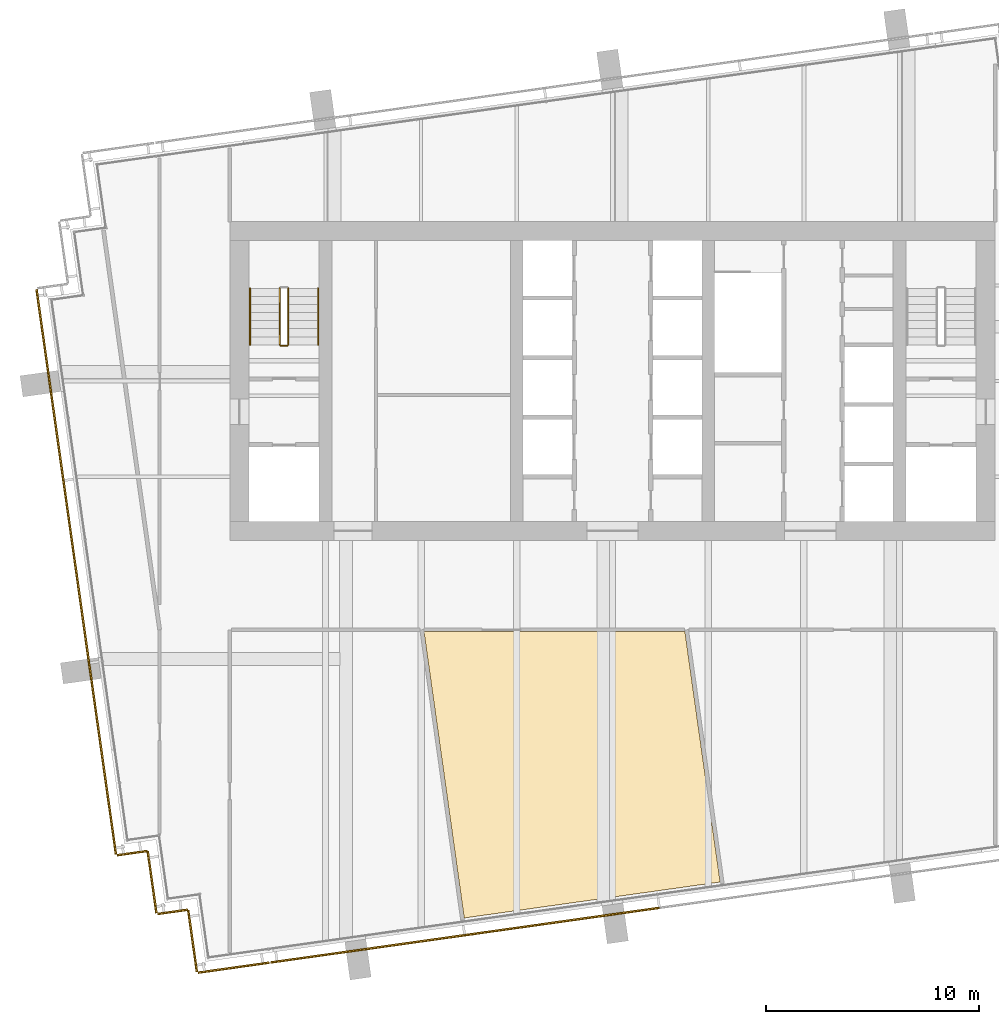
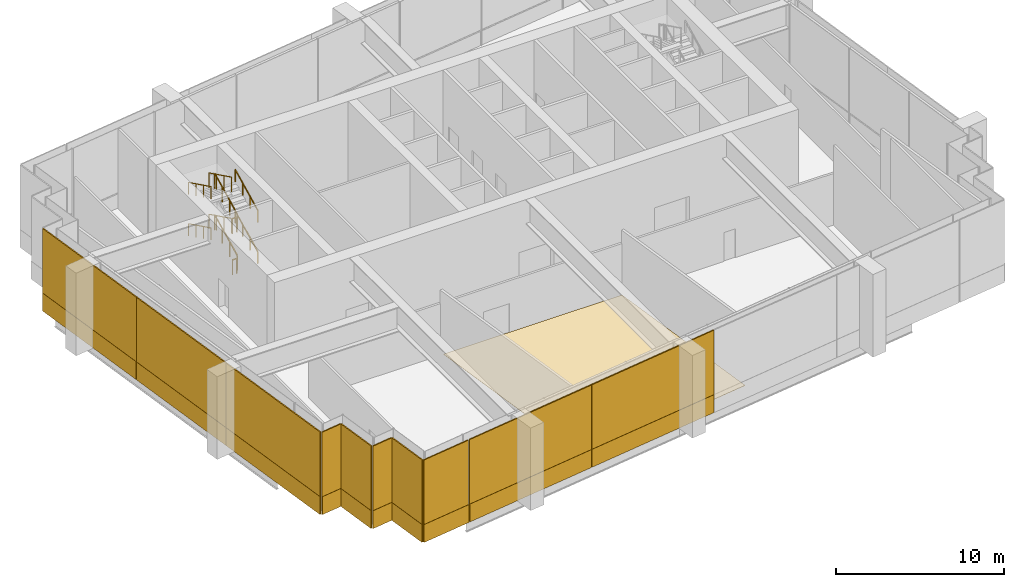
# One storey, part 22 of 25: 21 coverings, 10 railings.
"""IFC4 building model written with IfcOpenShell, lengths in metres."""

from ifc_helpers import new_model, si_unit, direction, frame, origin, origin_2d, place, context, subcontext, project, spatial, polyline, rectangle, outline, extrude, material, layer, layer_set, type_object, element, save


model = new_model("IFC4")

# Units and contexts
model_context = context("Model", 3, precision=1e-05, world=origin(), true_north=direction((0.0, 1.0)))
body_context = subcontext(model_context, "Body", "Model", "MODEL_VIEW")
ifc_project = project(units=[si_unit("LENGTHUNIT", "METRE"), si_unit("AREAUNIT", "SQUARE_METRE"), si_unit("VOLUMEUNIT", "CUBIC_METRE"), si_unit("PLANEANGLEUNIT", "RADIAN"), si_unit("MASSUNIT", "GRAM", prefix="KILO")], contexts=[model_context])

# Site, building, storey
site_placement = place(None, origin())
site = spatial("IfcSite", under=ifc_project, at=site_placement, CompositionType="ELEMENT")
building_placement = place(site_placement, origin())
building = spatial("IfcBuilding", under=site, at=building_placement, Name="Rattan Terrace Tower", CompositionType="ELEMENT")
storey_placement = place(building_placement, frame((0.0, 0.0, 286.300048828125)))
storey = spatial("IfcBuildingStorey", under=building, at=storey_placement, Name="L66", CompositionType="ELEMENT", Elevation=286.300048828125)

# Railings
ifc_material_1 = material(Name="Powder-coated steel guard", Category="steel")
railing_type_1 = type_object("IfcRailingType", Name="Core stair guard", PredefinedType="GUARDRAIL", material=ifc_material_1)
railing_1_placement = place(storey_placement, frame((-15.25, 1.699951171875, 0.1875)))
element("IfcRailing", 1, at=railing_1_placement, inside=storey, type_object=railing_type_1, Name="L66 S1 stair guard 1", PredefinedType="GUARDRAIL", context=body_context, shape_type="SweptSolid", body=[
    extrude(rectangle(XDim=0.048095703125, YDim=0.048095703125, at=origin_2d()), frame((0.0, 0.0, 1.076171875), z_axis=(0.0, 0.896784984146, 0.442466600107), x_axis=(-1.0, 0.0, 0.0)), (0.0, 0.0, 1.0), 2.96630859375),
    extrude(rectangle(XDim=0.0419921875, YDim=0.0419921875, at=origin_2d()), origin(), (0.0, 0.0, 1.0), 1.052001953125),
    extrude(rectangle(XDim=0.0419921875, YDim=0.0419921875, at=origin_2d()), frame((0.0, 0.88671875, 0.4375)), (0.0, 0.0, 1.0), 1.052001953125),
    extrude(rectangle(XDim=0.0419921875, YDim=0.0419921875, at=origin_2d()), frame((0.0, 1.7734375, 0.875)), (0.0, 0.0, 1.0), 1.052001953125),
    extrude(rectangle(XDim=0.0419921875, YDim=0.0419921875, at=origin_2d()), frame((0.0, 2.66015625, 1.3125)), (0.0, 0.0, 1.0), 1.052001953125),
])
railing_2_placement = place(storey_placement, frame((-15.64990234375, 4.360107421875, 1.6875)))
element("IfcRailing", 2, at=railing_2_placement, inside=storey, type_object=railing_type_1, Name="L66 S1 stair guard 3", PredefinedType="GUARDRAIL", context=body_context, shape_type="SweptSolid", body=[
    extrude(rectangle(XDim=0.048095703125, YDim=0.048095703125, at=origin_2d()), frame((0.0, 0.0, 1.076171875), z_axis=(0.0, -0.896784984146, 0.442466600107), x_axis=(1.0, 0.0, 0.0)), (0.0, 0.0, 1.0), 2.96630859375),
    extrude(rectangle(XDim=0.0419921875, YDim=0.0419921875, at=origin_2d()), origin(), (0.0, 0.0, 1.0), 1.052001953125),
    extrude(rectangle(XDim=0.0419921875, YDim=0.0419921875, at=origin_2d()), frame((0.0, -0.88671875, 0.4375)), (0.0, 0.0, 1.0), 1.052001953125),
    extrude(rectangle(XDim=0.0419921875, YDim=0.0419921875, at=origin_2d()), frame((0.0, -1.7734375, 0.875)), (0.0, 0.0, 1.0), 1.052001953125),
    extrude(rectangle(XDim=0.0419921875, YDim=0.0419921875, at=origin_2d()), frame((0.0, -2.66015625, 1.3125)), (0.0, 0.0, 1.0), 1.052001953125),
])
railing_3_placement = place(storey_placement, frame((-15.300048828125, 1.64990234375, 3.0)))
element("IfcRailing", 3, at=railing_3_placement, inside=storey, type_object=railing_type_1, Name="L66 S1 stair guard 4", PredefinedType="GUARDRAIL", context=body_context, shape_type="SweptSolid", body=[
    extrude(rectangle(XDim=0.048095703125, YDim=0.048095703125, at=origin_2d()), frame((0.0, 0.0, 1.076171875), z_axis=(-1.0, 0.0, 0.0), x_axis=(0.0, -1.0, 0.0)), (0.0, 0.0, 1.0), 0.300048828125),
    extrude(rectangle(XDim=0.0419921875, YDim=0.0419921875, at=origin_2d()), origin(), (0.0, 0.0, 1.0), 1.052001953125),
    extrude(rectangle(XDim=0.0419921875, YDim=0.0419921875, at=origin_2d()), frame((-0.300048828125, 0.0, 0.0)), (0.0, 0.0, 1.0), 1.052001953125),
])
railing_4_placement = place(storey_placement, frame((-15.25, 1.699951171875, 3.1875)))
element("IfcRailing", 4, at=railing_4_placement, inside=storey, type_object=railing_type_1, Name="L66 S1 stair guard 5", PredefinedType="GUARDRAIL", context=body_context, shape_type="SweptSolid", body=[
    extrude(rectangle(XDim=0.048095703125, YDim=0.048095703125, at=origin_2d()), frame((0.0, 0.0, 1.076171875), z_axis=(0.0, 0.896784984146, 0.442466600107), x_axis=(-1.0, 0.0, 0.0)), (0.0, 0.0, 1.0), 2.96630859375),
    extrude(rectangle(XDim=0.0419921875, YDim=0.0419921875, at=origin_2d()), origin(), (0.0, 0.0, 1.0), 1.052001953125),
    extrude(rectangle(XDim=0.0419921875, YDim=0.0419921875, at=origin_2d()), frame((0.0, 0.88671875, 0.4375)), (0.0, 0.0, 1.0), 1.052001953125),
    extrude(rectangle(XDim=0.0419921875, YDim=0.0419921875, at=origin_2d()), frame((0.0, 1.7734375, 0.875)), (0.0, 0.0, 1.0), 1.052001953125),
    extrude(rectangle(XDim=0.0419921875, YDim=0.0419921875, at=origin_2d()), frame((0.0, 2.66015625, 1.3125)), (0.0, 0.0, 1.0), 1.052001953125),
])
railing_5_placement = place(storey_placement, frame((-15.64990234375, 4.360107421875, 4.6875)))
element("IfcRailing", 5, at=railing_5_placement, inside=storey, type_object=railing_type_1, Name="L66 S1 stair guard 7", PredefinedType="GUARDRAIL", context=body_context, shape_type="SweptSolid", body=[
    extrude(rectangle(XDim=0.048095703125, YDim=0.048095703125, at=origin_2d()), frame((0.0, 0.0, 1.076171875), z_axis=(0.0, -0.896784984146, 0.442466600107), x_axis=(1.0, 0.0, 0.0)), (0.0, 0.0, 1.0), 2.96630859375),
    extrude(rectangle(XDim=0.0419921875, YDim=0.0419921875, at=origin_2d()), origin(), (0.0, 0.0, 1.0), 1.052001953125),
    extrude(rectangle(XDim=0.0419921875, YDim=0.0419921875, at=origin_2d()), frame((0.0, -0.88671875, 0.4375)), (0.0, 0.0, 1.0), 1.052001953125),
    extrude(rectangle(XDim=0.0419921875, YDim=0.0419921875, at=origin_2d()), frame((0.0, -1.7734375, 0.875)), (0.0, 0.0, 1.0), 1.052001953125),
    extrude(rectangle(XDim=0.0419921875, YDim=0.0419921875, at=origin_2d()), frame((0.0, -2.66015625, 1.3125)), (0.0, 0.0, 1.0), 1.052001953125),
])
railing_6_placement = place(storey_placement, frame((-15.300048828125, 1.64990234375, 0.0)))
element("IfcRailing", 6, at=railing_6_placement, inside=storey, type_object=railing_type_1, Name="L66 S1 stair guard 8", PredefinedType="GUARDRAIL", context=body_context, shape_type="SweptSolid", body=[
    extrude(rectangle(XDim=0.048095703125, YDim=0.048095703125, at=origin_2d()), frame((0.0, 0.0, 1.076171875), z_axis=(-1.0, 0.0, 0.0), x_axis=(0.0, -1.0, 0.0)), (0.0, 0.0, 1.0), 0.300048828125),
    extrude(rectangle(XDim=0.0419921875, YDim=0.0419921875, at=origin_2d()), origin(), (0.0, 0.0, 1.0), 1.052001953125),
    extrude(rectangle(XDim=0.0419921875, YDim=0.0419921875, at=origin_2d()), frame((-0.300048828125, 0.0, 0.0)), (0.0, 0.0, 1.0), 1.052001953125),
])
ifc_material_2 = material(Name="Powder-coated steel handrail", Category="steel")
railing_type_2 = type_object("IfcRailingType", Name="Core stair handrail", PredefinedType="HANDRAIL", material=ifc_material_2)
railing_7_placement = place(storey_placement, frame((-13.85009765625, 1.699951171875, 0.1875)))
element("IfcRailing", 7, at=railing_7_placement, inside=storey, type_object=railing_type_2, Name="L66 S1 stair handrail 1", PredefinedType="HANDRAIL", context=body_context, shape_type="SweptSolid", body=[
    extrude(rectangle(XDim=0.048095703125, YDim=0.048095703125, at=origin_2d()), frame((0.0, 0.0, 0.8759765625), z_axis=(0.0, 0.896784984146, 0.442466600107), x_axis=(-1.0, 0.0, 0.0)), (0.0, 0.0, 1.0), 2.96630859375),
    extrude(rectangle(XDim=0.0419921875, YDim=0.0419921875, at=origin_2d()), origin(), (0.0, 0.0, 1.0), 0.851806640625),
    extrude(rectangle(XDim=0.0419921875, YDim=0.0419921875, at=origin_2d()), frame((0.0, 0.88671875, 0.4375)), (0.0, 0.0, 1.0), 0.851806640625),
    extrude(rectangle(XDim=0.0419921875, YDim=0.0419921875, at=origin_2d()), frame((0.0, 1.7734375, 0.875)), (0.0, 0.0, 1.0), 0.851806640625),
    extrude(rectangle(XDim=0.0419921875, YDim=0.0419921875, at=origin_2d()), frame((0.0, 2.66015625, 1.3125)), (0.0, 0.0, 1.0), 0.851806640625),
])
railing_8_placement = place(storey_placement, frame((-17.050048828125, 4.360107421875, 1.6875)))
element("IfcRailing", 8, at=railing_8_placement, inside=storey, type_object=railing_type_2, Name="L66 S1 stair handrail 2", PredefinedType="HANDRAIL", context=body_context, shape_type="SweptSolid", body=[
    extrude(rectangle(XDim=0.048095703125, YDim=0.048095703125, at=origin_2d()), frame((0.0, 0.0, 0.8759765625), z_axis=(0.0, -0.896784984146, 0.442466600107), x_axis=(1.0, 0.0, 0.0)), (0.0, 0.0, 1.0), 2.96630859375),
    extrude(rectangle(XDim=0.0419921875, YDim=0.0419921875, at=origin_2d()), origin(), (0.0, 0.0, 1.0), 0.851806640625),
    extrude(rectangle(XDim=0.0419921875, YDim=0.0419921875, at=origin_2d()), frame((0.0, -0.88671875, 0.4375)), (0.0, 0.0, 1.0), 0.851806640625),
    extrude(rectangle(XDim=0.0419921875, YDim=0.0419921875, at=origin_2d()), frame((0.0, -1.7734375, 0.875)), (0.0, 0.0, 1.0), 0.851806640625),
    extrude(rectangle(XDim=0.0419921875, YDim=0.0419921875, at=origin_2d()), frame((0.0, -2.66015625, 1.3125)), (0.0, 0.0, 1.0), 0.851806640625),
])
railing_9_placement = place(storey_placement, frame((-13.85009765625, 1.699951171875, 3.1875)))
element("IfcRailing", 9, at=railing_9_placement, inside=storey, type_object=railing_type_2, Name="L66 S1 stair handrail 3", PredefinedType="HANDRAIL", context=body_context, shape_type="SweptSolid", body=[
    extrude(rectangle(XDim=0.048095703125, YDim=0.048095703125, at=origin_2d()), frame((0.0, 0.0, 0.8759765625), z_axis=(0.0, 0.896784984146, 0.442466600107), x_axis=(-1.0, 0.0, 0.0)), (0.0, 0.0, 1.0), 2.96630859375),
    extrude(rectangle(XDim=0.0419921875, YDim=0.0419921875, at=origin_2d()), origin(), (0.0, 0.0, 1.0), 0.851806640625),
    extrude(rectangle(XDim=0.0419921875, YDim=0.0419921875, at=origin_2d()), frame((0.0, 0.88671875, 0.4375)), (0.0, 0.0, 1.0), 0.851806640625),
    extrude(rectangle(XDim=0.0419921875, YDim=0.0419921875, at=origin_2d()), frame((0.0, 1.7734375, 0.875)), (0.0, 0.0, 1.0), 0.851806640625),
    extrude(rectangle(XDim=0.0419921875, YDim=0.0419921875, at=origin_2d()), frame((0.0, 2.66015625, 1.3125)), (0.0, 0.0, 1.0), 0.851806640625),
])
railing_10_placement = place(storey_placement, frame((-17.050048828125, 4.360107421875, 4.6875)))
element("IfcRailing", 10, at=railing_10_placement, inside=storey, type_object=railing_type_2, Name="L66 S1 stair handrail 4", PredefinedType="HANDRAIL", context=body_context, shape_type="SweptSolid", body=[
    extrude(rectangle(XDim=0.048095703125, YDim=0.048095703125, at=origin_2d()), frame((0.0, 0.0, 0.8759765625), z_axis=(0.0, -0.896784984146, 0.442466600107), x_axis=(1.0, 0.0, 0.0)), (0.0, 0.0, 1.0), 2.96630859375),
    extrude(rectangle(XDim=0.0419921875, YDim=0.0419921875, at=origin_2d()), origin(), (0.0, 0.0, 1.0), 0.851806640625),
    extrude(rectangle(XDim=0.0419921875, YDim=0.0419921875, at=origin_2d()), frame((0.0, -0.88671875, 0.4375)), (0.0, 0.0, 1.0), 0.851806640625),
    extrude(rectangle(XDim=0.0419921875, YDim=0.0419921875, at=origin_2d()), frame((0.0, -1.7734375, 0.875)), (0.0, 0.0, 1.0), 0.851806640625),
    extrude(rectangle(XDim=0.0419921875, YDim=0.0419921875, at=origin_2d()), frame((0.0, -2.66015625, 1.3125)), (0.0, 0.0, 1.0), 0.851806640625),
])

# Coverings
ifc_material_3 = material(Name="Solid terracotta", Category="masonry")
ifc_layer_1 = layer(ifc_material_3, 0.090087890625)
ifc_layer_set_1 = layer_set([ifc_layer_1], Name="Facade Terracotta Band Panel HZ")
covering_type_1 = type_object("IfcCoveringType", Name="Facade Terracotta Band Panel HZ", PredefinedType="CLADDING", material=ifc_layer_set_1)
covering_1_placement = place(storey_placement, frame((-26.45751953125, -0.18408203125, -0.18994140625), z_axis=(0.0, 0.0, 1.0), x_axis=(0.139191775431, -0.990265444036, 0.0)))
element("IfcCovering", 11, at=covering_1_placement, inside=storey, type_object=covering_type_1, Name="OUTER SKIN panel L66-23A", PredefinedType="CLADDING", context=body_context, shape_type="SweptSolid", body=[
    extrude(rectangle(XDim=9.06689453125, YDim=0.090087890625, at=origin_2d()), origin(), (0.0, 0.0, 1.0), 1.300048828125),
])
covering_2_placement = place(storey_placement, frame((-25.221923828125, -8.974609375, -0.18994140625), z_axis=(0.0, 0.0, 1.0), x_axis=(0.139191775431, -0.990265444036, 0.0)))
element("IfcCovering", 12, at=covering_2_placement, inside=storey, type_object=covering_type_1, Name="OUTER SKIN panel L66-24A", PredefinedType="CLADDING", context=body_context, shape_type="SweptSolid", body=[
    extrude(rectangle(XDim=8.64697265625, YDim=0.090087890625, at=origin_2d()), origin(), (0.0, 0.0, 1.0), 1.300048828125),
])
covering_3_placement = place(storey_placement, frame((-23.986328125, -17.764892578125, -0.18994140625), z_axis=(0.0, 0.0, 1.0), x_axis=(0.139191775431, -0.990265444036, 0.0)))
element("IfcCovering", 13, at=covering_3_placement, inside=storey, type_object=covering_type_1, Name="OUTER SKIN panel L66-25A", PredefinedType="CLADDING", context=body_context, shape_type="SweptSolid", body=[
    extrude(rectangle(XDim=9.066162109375, YDim=0.090087890625, at=origin_2d()), origin(), (0.0, 0.0, 1.0), 1.300048828125),
])
covering_4_placement = place(storey_placement, frame((-22.59033203125, -22.20166015625, -0.18994140625), z_axis=(0.0, 0.0, 1.0), x_axis=(0.990240767803, 0.139367219175, 0.0)))
element("IfcCovering", 14, at=covering_4_placement, inside=storey, type_object=covering_type_1, Name="OUTER SKIN panel L66-26A", PredefinedType="CLADDING", context=body_context, shape_type="SweptSolid", body=[
    extrude(rectangle(XDim=1.419677734375, YDim=0.090087890625, at=origin_2d()), origin(), (0.0, 0.0, 1.0), 1.300048828125),
])
covering_5_placement = place(storey_placement, frame((-21.65576171875, -23.56982421875, -0.18994140625), z_axis=(0.0, 0.0, 1.0), x_axis=(0.139321220646, -0.990247240581, 0.0)))
element("IfcCovering", 15, at=covering_5_placement, inside=storey, type_object=covering_type_1, Name="OUTER SKIN panel L66-27A", PredefinedType="CLADDING", context=body_context, shape_type="SweptSolid", body=[
    extrude(rectangle(XDim=2.919921875, YDim=0.090087890625, at=origin_2d()), origin(), (0.0, 0.0, 1.0), 1.300048828125),
])
covering_6_placement = place(storey_placement, frame((-20.687255859375, -24.9638671875, -0.18994140625), z_axis=(0.0, 0.0, 1.0), x_axis=(0.990332587523, 0.138713251317, 0.0)))
element("IfcCovering", 16, at=covering_6_placement, inside=storey, type_object=covering_type_1, Name="OUTER SKIN panel L66-28A", PredefinedType="CLADDING", context=body_context, shape_type="SweptSolid", body=[
    extrude(rectangle(XDim=1.41943359375, YDim=0.090087890625, at=origin_2d()), origin(), (0.0, 0.0, 1.0), 1.300048828125),
])
covering_7_placement = place(storey_placement, frame((-19.752685546875, -26.332275390625, -0.18994140625), z_axis=(0.0, 0.0, 1.0), x_axis=(0.139367219175, -0.990240767803, 0.0)))
element("IfcCovering", 17, at=covering_7_placement, inside=storey, type_object=covering_type_1, Name="OUTER SKIN panel L66-29A", PredefinedType="CLADDING", context=body_context, shape_type="SweptSolid", body=[
    extrude(rectangle(XDim=2.91943359375, YDim=0.090087890625, at=origin_2d()), origin(), (0.0, 0.0, 1.0), 1.300048828125),
])
covering_8_placement = place(storey_placement, frame((-17.819091796875, -27.59033203125, -0.18994140625), z_axis=(0.0, 0.0, 1.0), x_axis=(0.990286729519, 0.139040257974, 0.0)))
element("IfcCovering", 18, at=covering_8_placement, inside=storey, type_object=covering_type_1, Name="OUTER SKIN panel L66-30A", PredefinedType="CLADDING", context=body_context, shape_type="SweptSolid", body=[
    extrude(rectangle(XDim=3.368896484375, YDim=0.090087890625, at=origin_2d()), origin(), (0.0, 0.0, 1.0), 1.300048828125),
])
covering_9_placement = place(storey_placement, frame((-11.516845703125, -26.70458984375, -0.18994140625), z_axis=(0.0, 0.0, 1.0), x_axis=(0.990265894013, 0.139188574079, 0.0)))
element("IfcCovering", 19, at=covering_9_placement, inside=storey, type_object=covering_type_1, Name="OUTER SKIN panel L66-31A", PredefinedType="CLADDING", context=body_context, shape_type="SweptSolid", body=[
    extrude(rectangle(XDim=9.198974609375, YDim=0.090087890625, at=origin_2d()), origin(), (0.0, 0.0, 1.0), 1.300048828125),
])
covering_10_placement = place(storey_placement, frame((-2.372802734375, -25.41943359375, -0.18994140625), z_axis=(0.0, 0.0, 1.0), x_axis=(0.990265894013, 0.139188574079, 0.0)))
element("IfcCovering", 20, at=covering_10_placement, inside=storey, type_object=covering_type_1, Name="OUTER SKIN panel L66-32A", PredefinedType="CLADDING", context=body_context, shape_type="SweptSolid", body=[
    extrude(rectangle(XDim=9.22900390625, YDim=0.090087890625, at=origin_2d()), origin(), (0.0, 0.0, 1.0), 1.300048828125),
])
ifc_material_4 = material(Name="Perforated terracotta", Category="masonry")
ifc_layer_2 = layer(ifc_material_4, 0.080078125)
ifc_layer_set_2 = layer_set([ifc_layer_2], Name="Facade Terracotta Screen Panel HZ")
covering_type_2 = type_object("IfcCoveringType", Name="Facade Terracotta Screen Panel HZ", PredefinedType="CLADDING", material=ifc_layer_set_2)
covering_11_placement = place(storey_placement, frame((-26.45263671875, -0.183349609375, 1.10986328125), z_axis=(0.0, 0.0, 1.0), x_axis=(0.139191775431, -0.990265444036, 0.0)))
element("IfcCovering", 21, at=covering_11_placement, inside=storey, type_object=covering_type_2, Name="OUTER SKIN panel L66-23B", PredefinedType="CLADDING", context=body_context, shape_type="SweptSolid", body=[
    extrude(rectangle(XDim=9.06689453125, YDim=0.080078125, at=origin_2d()), origin(), (0.0, 0.0, 1.0), 4.679931640625),
])
covering_12_placement = place(storey_placement, frame((-25.217041015625, -8.973876953125, 1.10986328125), z_axis=(0.0, 0.0, 1.0), x_axis=(0.139191775431, -0.990265444036, 0.0)))
element("IfcCovering", 22, at=covering_12_placement, inside=storey, type_object=covering_type_2, Name="OUTER SKIN panel L66-24B", PredefinedType="CLADDING", context=body_context, shape_type="SweptSolid", body=[
    extrude(rectangle(XDim=8.64697265625, YDim=0.080078125, at=origin_2d()), origin(), (0.0, 0.0, 1.0), 4.679931640625),
])
covering_13_placement = place(storey_placement, frame((-23.9814453125, -17.76416015625, 1.10986328125), z_axis=(0.0, 0.0, 1.0), x_axis=(0.139191775431, -0.990265444036, 0.0)))
element("IfcCovering", 23, at=covering_13_placement, inside=storey, type_object=covering_type_2, Name="OUTER SKIN panel L66-25B", PredefinedType="CLADDING", context=body_context, shape_type="SweptSolid", body=[
    extrude(rectangle(XDim=9.066162109375, YDim=0.080078125, at=origin_2d()), origin(), (0.0, 0.0, 1.0), 4.679931640625),
])
covering_14_placement = place(storey_placement, frame((-22.591064453125, -22.19677734375, 1.10986328125), z_axis=(0.0, 0.0, 1.0), x_axis=(0.990240767803, 0.139367219175, 0.0)))
element("IfcCovering", 24, at=covering_14_placement, inside=storey, type_object=covering_type_2, Name="OUTER SKIN panel L66-26B", PredefinedType="CLADDING", context=body_context, shape_type="SweptSolid", body=[
    extrude(rectangle(XDim=1.419677734375, YDim=0.080078125, at=origin_2d()), origin(), (0.0, 0.0, 1.0), 4.679931640625),
])
covering_15_placement = place(storey_placement, frame((-21.65087890625, -23.569091796875, 1.10986328125), z_axis=(0.0, 0.0, 1.0), x_axis=(0.139321220646, -0.990247240581, 0.0)))
element("IfcCovering", 25, at=covering_15_placement, inside=storey, type_object=covering_type_2, Name="OUTER SKIN panel L66-27B", PredefinedType="CLADDING", context=body_context, shape_type="SweptSolid", body=[
    extrude(rectangle(XDim=2.919921875, YDim=0.080078125, at=origin_2d()), origin(), (0.0, 0.0, 1.0), 4.679931640625),
])
covering_16_placement = place(storey_placement, frame((-20.68798828125, -24.958984375, 1.10986328125), z_axis=(0.0, 0.0, 1.0), x_axis=(0.990332587523, 0.138713251317, 0.0)))
element("IfcCovering", 26, at=covering_16_placement, inside=storey, type_object=covering_type_2, Name="OUTER SKIN panel L66-28B", PredefinedType="CLADDING", context=body_context, shape_type="SweptSolid", body=[
    extrude(rectangle(XDim=1.41943359375, YDim=0.080078125, at=origin_2d()), origin(), (0.0, 0.0, 1.0), 4.679931640625),
])
covering_17_placement = place(storey_placement, frame((-19.747802734375, -26.33154296875, 1.10986328125), z_axis=(0.0, 0.0, 1.0), x_axis=(0.139367219175, -0.990240767803, 0.0)))
element("IfcCovering", 27, at=covering_17_placement, inside=storey, type_object=covering_type_2, Name="OUTER SKIN panel L66-29B", PredefinedType="CLADDING", context=body_context, shape_type="SweptSolid", body=[
    extrude(rectangle(XDim=2.91943359375, YDim=0.080078125, at=origin_2d()), origin(), (0.0, 0.0, 1.0), 4.679931640625),
])
covering_18_placement = place(storey_placement, frame((-17.81982421875, -27.585205078125, 1.10986328125), z_axis=(0.0, 0.0, 1.0), x_axis=(0.990286729519, 0.139040257974, 0.0)))
element("IfcCovering", 28, at=covering_18_placement, inside=storey, type_object=covering_type_2, Name="OUTER SKIN panel L66-30B", PredefinedType="CLADDING", context=body_context, shape_type="SweptSolid", body=[
    extrude(rectangle(XDim=3.368896484375, YDim=0.080078125, at=origin_2d()), origin(), (0.0, 0.0, 1.0), 4.679931640625),
])
covering_19_placement = place(storey_placement, frame((-11.517578125, -26.69970703125, 1.10986328125), z_axis=(0.0, 0.0, 1.0), x_axis=(0.990265894013, 0.139188574079, 0.0)))
element("IfcCovering", 29, at=covering_19_placement, inside=storey, type_object=covering_type_2, Name="OUTER SKIN panel L66-31B", PredefinedType="CLADDING", context=body_context, shape_type="SweptSolid", body=[
    extrude(rectangle(XDim=9.198974609375, YDim=0.080078125, at=origin_2d()), origin(), (0.0, 0.0, 1.0), 4.679931640625),
])
covering_20_placement = place(storey_placement, frame((-2.37353515625, -25.41455078125, 1.10986328125), z_axis=(0.0, 0.0, 1.0), x_axis=(0.990265894013, 0.139188574079, 0.0)))
element("IfcCovering", 30, at=covering_20_placement, inside=storey, type_object=covering_type_2, Name="OUTER SKIN panel L66-32B", PredefinedType="CLADDING", context=body_context, shape_type="SweptSolid", body=[
    extrude(rectangle(XDim=9.22900390625, YDim=0.080078125, at=origin_2d()), origin(), (0.0, 0.0, 1.0), 4.679931640625),
])
ifc_material_5 = material(Name="Polished limestone", Category="masonry")
ifc_layer_3 = layer(ifc_material_5, 0.02001953125)
ifc_layer_set_3 = layer_set([ifc_layer_3], Name="Lobby Floor Finish Stone 20")
covering_type_3 = type_object("IfcCoveringType", Name="Lobby Floor Finish Stone 20", PredefinedType="FLOORING", material=ifc_layer_set_3)
covering_21_placement = place(storey_placement, origin())
element("IfcCovering", 31, at=covering_21_placement, inside=storey, type_object=covering_type_3, Name="Floor finish L66-103", PredefinedType="FLOORING", context=body_context, shape_type="SweptSolid", body=[
    extrude(outline(polyline([(-8.867919921875, -11.77490234375), (-6.97412109375, -25.2529296875), (5.06103515625, -23.56201171875), (3.404052734375, -11.77490234375), (-8.867919921875, -11.77490234375)])), origin(), (0.0, 0.0, 1.0), 0.02001953125),
])

save(model, "model.ifc")
